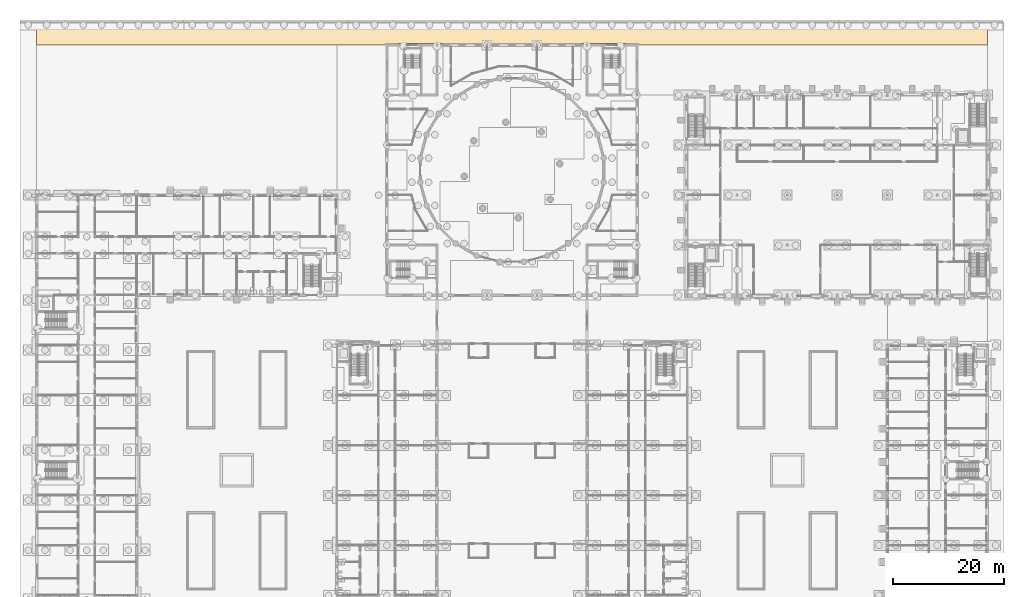
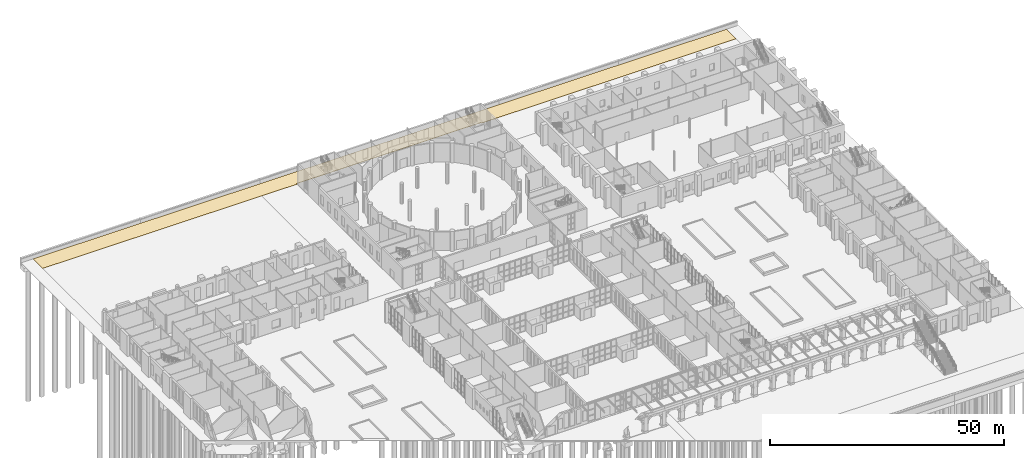
# One storey, part 161 of 168: 1 covering.
"""IFC4 building model written with IfcOpenShell, lengths in metres."""

from ifc_helpers import new_model, si_unit, direction, frame, origin, place, context, subcontext, project, spatial, polyline, outline, extrude, material, layer, layer_set, type_object, element, save


model = new_model("IFC4")

# Units and contexts
model_context = context("Model", 3, precision=1e-05, world=origin(), true_north=direction((0.0, 1.0)))
body_context = subcontext(model_context, "Body", "Model", "MODEL_VIEW")
ifc_project = project(units=[si_unit("LENGTHUNIT", "METRE"), si_unit("AREAUNIT", "SQUARE_METRE"), si_unit("VOLUMEUNIT", "CUBIC_METRE"), si_unit("PLANEANGLEUNIT", "RADIAN"), si_unit("MASSUNIT", "GRAM", prefix="KILO")], contexts=[model_context])

# Site, building, storey
site_placement = place(None, origin())
site = spatial("IfcSite", under=ifc_project, at=site_placement, CompositionType="ELEMENT")
building_placement = place(site_placement, origin())
building = spatial("IfcBuilding", under=site, at=building_placement, Name="Golden Quay Civic Hall", CompositionType="ELEMENT")
storey_placement = place(building_placement, origin())
storey = spatial("IfcBuildingStorey", under=building, at=storey_placement, Name="L00", CompositionType="ELEMENT", Elevation=0.0)

# Covering
ifc_material = material(Name="Concrete block paving", Category="concrete")
ifc_layer = layer(ifc_material, 0.10009765625)
ifc_layer_set = layer_set([ifc_layer], Name="Concrete block paving 100")
covering_type = type_object("IfcCoveringType", Name="Concrete block paving 100", PredefinedType="FLOORING", material=ifc_layer_set)
covering_placement = place(storey_placement, frame((0.0, 0.0, -0.10009765625)))
element("IfcCovering", 1, at=covering_placement, inside=storey, type_object=covering_type, Name="North service yard paving", PredefinedType="FLOORING", context=body_context, shape_type="SweptSolid", body=[
    extrude(outline(polyline([(108.199951171875, 108.25), (99.0, 108.25), (72.0, 108.25), (62.800048828125, 108.25), (62.75, 108.25), (62.75, 108.0), (54.0, 108.0), (54.0, 108.0), (54.0, 108.0), (54.0, 108.0), (54.0, 108.0), (54.0, 108.0), (54.0, 108.0), (54.0, 108.0), (54.0, 108.0), (54.0, 108.0), (54.0, 108.0), (54.0, 108.0), (54.0, 108.0), (54.0, 108.0), (54.0, 108.0), (54.0, 108.0), (54.0, 108.0), (0.0, 108.0), (0.0, 112.10009765625), (171.0, 112.10009765625), (171.0, 108.0), (108.25, 108.0), (108.25, 108.25), (108.199951171875, 108.25)])), origin(), (0.0, 0.0, 1.0), 0.10009765625),
])

save(model, "model.ifc")
